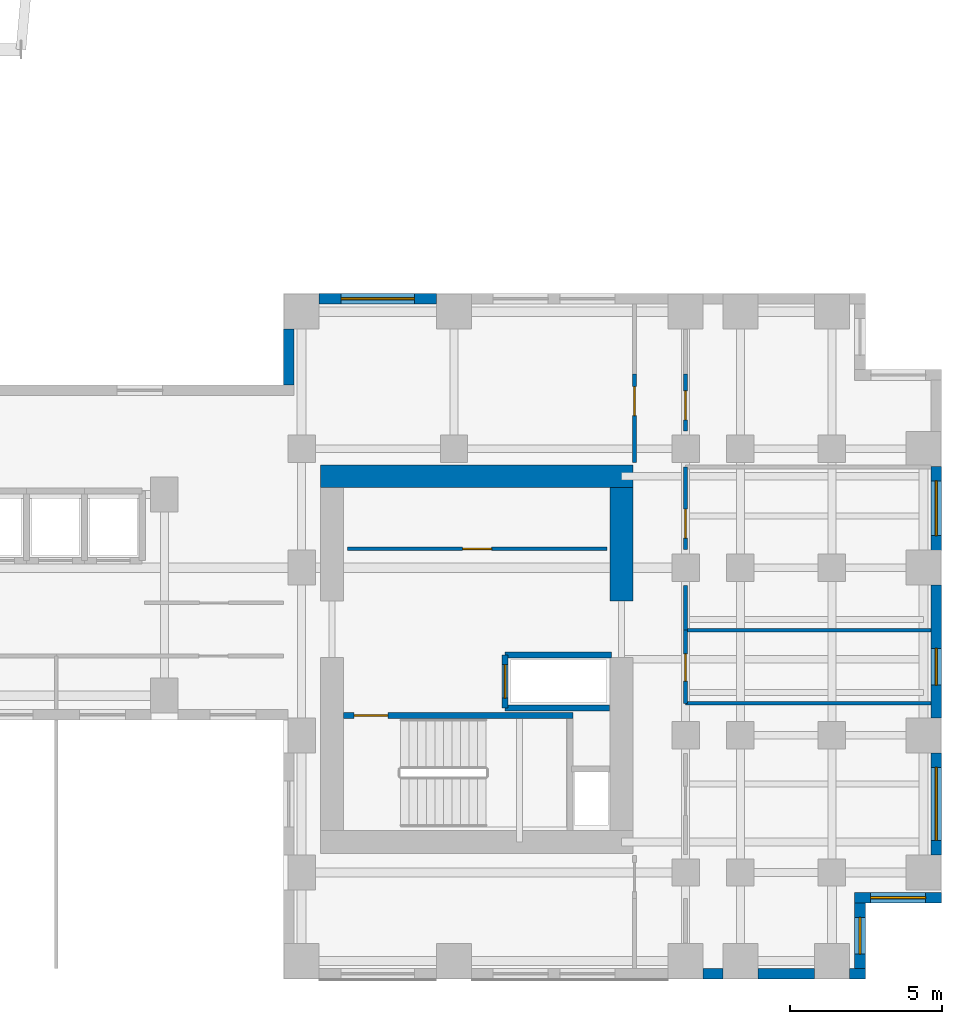
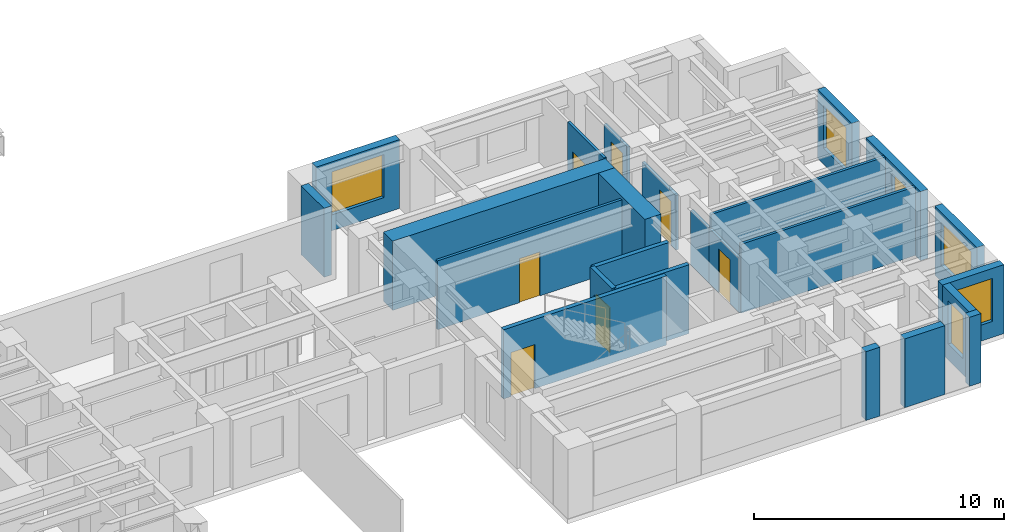
# One storey, part 10 of 14: 24 walls, 7 doors, 6 windows, 13 openings.
"""IFC4 building model written with IfcOpenShell, lengths in metres."""

import ifcopenshell
import ifcopenshell.guid

model = None  # the IFC model being written
_history = None  # IfcOwnerHistory: only IFC2X3 demands one
_inside = {}  # id of a spatial element -> (the spatial element, [elements in it])
_under = {}  # id of a project, library or spatial element -> (it, [spatial elements below it])
_declared = {}  # id of a project -> (the project, [libraries it declares])
_typed = {}  # id of a type object -> (the type object, [elements of that type])
_made_of = {}  # id of a material, layer set ... -> (it, [elements and type objects made of it])


def new_model(schema):
    """Start an empty IFC model of exactly this schema.

    Asked for "IFC4X3", IfcOpenShell would pick the latest addendum, in which some entities
    have other attributes; the version numbers below select the first issue.
    IFC2X3 requires an IfcOwnerHistory on every rooted entity: one is made here for all.
    """
    global model, _history
    if schema == "IFC4X3":
        model = ifcopenshell.file(schema_version=(4, 3, 0, 0))
    else:
        model = ifcopenshell.file(schema=schema)
    _inside.clear()
    _under.clear()
    _declared.clear()
    _typed.clear()
    _made_of.clear()
    _history = None
    if model.schema == "IFC2X3":
        org = make("IfcOrganization", Name="unknown")
        user = make(
            "IfcPersonAndOrganization",
            ThePerson=make("IfcPerson", FamilyName="unknown"),
            TheOrganization=org,
        )
        app = make(
            "IfcApplication",
            ApplicationDeveloper=org,
            Version="unknown",
            ApplicationFullName="unknown",
            ApplicationIdentifier="unknown",
        )
        _history = make(
            "IfcOwnerHistory",
            OwningUser=user,
            OwningApplication=app,
            ChangeAction="ADDED",
            CreationDate=0,
        )
    return model


def make(cls, **values):
    """One entity of the class cls with the attributes given. An attribute that is None is left unset."""
    return model.create_entity(
        cls, **{name: value for name, value in values.items() if value is not None}
    )


def rooted(cls, **values):
    """An entity with a GlobalId (a new one), such as an element, a storey or a relation."""
    return make(cls, GlobalId=ifcopenshell.guid.new(), OwnerHistory=_history, **values)


def si_unit(unit_type, name, prefix=None):
    """IfcSIUnit, for example si_unit("LENGTHUNIT", "METRE", prefix="MILLI")."""
    return make("IfcSIUnit", UnitType=unit_type, Prefix=prefix, Name=name)


def assignment(units):
    """IfcUnitAssignment: the units of a project."""
    return None if units is None else make("IfcUnitAssignment", Units=units)


def point(xyz):
    """IfcCartesianPoint."""
    return None if xyz is None else make("IfcCartesianPoint", Coordinates=xyz)


def direction(xyz):
    """IfcDirection."""
    return None if xyz is None else make("IfcDirection", DirectionRatios=xyz)


def frame(location, z_axis=None, x_axis=None):
    """IfcAxis2Placement3D, a coordinate frame: its origin and axes. An axis left out is left unset."""
    return make(
        "IfcAxis2Placement3D",
        Location=point(location),
        Axis=direction(z_axis),
        RefDirection=direction(x_axis),
    )


def frame_2d(location, x_axis=None):
    """IfcAxis2Placement2D, a coordinate frame in the plane: its origin and x axis."""
    return make(
        "IfcAxis2Placement2D", Location=point(location), RefDirection=direction(x_axis)
    )


def origin():
    """The frame at (0, 0, 0) with its axes left unset."""
    return frame((0.0, 0.0, 0.0))


def place(relative_to, where):
    """IfcLocalPlacement: puts the frame where relative to a parent placement (None: the world)."""
    return make(
        "IfcLocalPlacement", PlacementRelTo=relative_to, RelativePlacement=where
    )


def context(
    kind, dimensions, precision=None, world=None, true_north=None, identifier=None
):
    """IfcGeometricRepresentationContext, for example the 3D "Model" context."""
    return make(
        "IfcGeometricRepresentationContext",
        ContextIdentifier=identifier,
        ContextType=kind,
        CoordinateSpaceDimension=dimensions,
        Precision=precision,
        WorldCoordinateSystem=world,
        TrueNorth=true_north,
    )


def subcontext(parent, identifier, kind, view, scale=None):
    """IfcGeometricRepresentationSubContext, for example "Body" below "Model"."""
    return make(
        "IfcGeometricRepresentationSubContext",
        ContextIdentifier=identifier,
        ContextType=kind,
        ParentContext=parent,
        TargetScale=scale,
        TargetView=view,
    )


def project(units=None, contexts=None):
    """IfcProject with its units and contexts."""
    return rooted(
        "IfcProject",
        Name="project",
        RepresentationContexts=contexts,
        UnitsInContext=assignment(units),
    )


def spatial(cls, under=None, at=None, **own):
    """A site, building, storey or space (cls), placed at a placement, below another one or the project."""
    s = rooted(cls, ObjectPlacement=at, **own)
    if under is not None:
        _under.setdefault(under.id(), (under, []))[1].append(s)
    return s


def profile(cls, at=None, kind="AREA", **sizes):
    """A parametric profile (cls). Its sizes go by their IFC names, for example OverallWidth=200.0."""
    return make(cls, ProfileType=kind, Position=at, **sizes)


def rectangle(**sizes):
    """IfcRectangleProfileDef."""
    return profile("IfcRectangleProfileDef", **sizes)


def extrude(swept, where, along, depth):
    """IfcExtrudedAreaSolid: the profile swept, set in the frame where, extruded along a direction by depth."""
    return make(
        "IfcExtrudedAreaSolid",
        SweptArea=swept,
        Position=where,
        ExtrudedDirection=direction(along),
        Depth=depth,
    )


def shape(context_of_items, identifier, shape_type, items):
    """IfcShapeRepresentation: the items that make up one representation, for example the "Body"."""
    return make(
        "IfcShapeRepresentation",
        ContextOfItems=context_of_items,
        RepresentationIdentifier=identifier,
        RepresentationType=shape_type,
        Items=items,
    )


def source(mapping_origin, context_of_items, identifier, shape_type, items):
    """IfcRepresentationMap: a shape defined once, which mapped items show again and again."""
    return make(
        "IfcRepresentationMap",
        MappingOrigin=mapping_origin,
        MappedRepresentation=shape(context_of_items, identifier, shape_type, items),
    )


def transform(
    local_origin,
    x_axis=None,
    y_axis=None,
    z_axis=None,
    scale=None,
    scale2=None,
    scale3=None,
    uniform=True,
):
    """IfcCartesianTransformationOperator3D, or its non-uniform kind. x_axis, y_axis, z_axis: its Axis1, 2, 3."""
    if uniform:
        return make(
            "IfcCartesianTransformationOperator3D",
            Axis1=direction(x_axis),
            Axis2=direction(y_axis),
            LocalOrigin=point(local_origin),
            Scale=scale,
            Axis3=direction(z_axis),
        )
    return make(
        "IfcCartesianTransformationOperator3DnonUniform",
        Axis1=direction(x_axis),
        Axis2=direction(y_axis),
        LocalOrigin=point(local_origin),
        Scale=scale,
        Axis3=direction(z_axis),
        Scale2=scale2,
        Scale3=scale3,
    )


def mapped(mapping_source, mapping_target):
    """IfcMappedItem: shows the shape of a source again, moved by a transform."""
    return make(
        "IfcMappedItem", MappingSource=mapping_source, MappingTarget=mapping_target
    )


def material(Name=None, Category=None):
    """IfcMaterial."""
    return make("IfcMaterial", Name=Name, Category=Category)


def layer(
    of_material, thickness, ventilated=None, Name=None, Category=None, Priority=None
):
    """IfcMaterialLayer: one layer of a wall or slab, of a material (None: an air gap)."""
    return make(
        "IfcMaterialLayer",
        Material=of_material,
        LayerThickness=thickness,
        IsVentilated=ventilated,
        Name=Name,
        Category=Category,
        Priority=Priority,
    )


def layer_set(layers, Name=None):
    """IfcMaterialLayerSet."""
    return make("IfcMaterialLayerSet", MaterialLayers=layers, LayerSetName=Name)


def made_of(thing, what):
    """Note that an element or type object is made of a material, layer set ...; save() writes the relation."""
    if what is not None:
        _made_of.setdefault(what.id(), (what, []))[1].append(thing)
    return thing


def type_object(cls, material=None, **own):
    """A type object (cls), such as IfcWallType, which elements share."""
    return made_of(rooted(cls, **own), material)


def element(
    cls,
    number,
    at=None,
    inside=None,
    cuts=None,
    type_object=None,
    material=None,
    context=None,
    identifier="Body",
    shape_type=None,
    held_by="IfcProductDefinitionShape",
    body=None,
    shapes=None,
    **own,
):
    """One element of the class cls, such as IfcWall. Its Tag is "e" and its number.

    at: its placement. inside: the storey or other place that contains it. cuts: it is an
    opening in that element (IfcRelVoidsElement). A single representation is given by context,
    identifier, shape_type and body (its items); several are given by shapes. held_by: the class
    of the entity that holds the representations. save() writes the other relations.
    """
    e = rooted(cls, Tag="e%d" % number, ObjectPlacement=at, **own)
    if body is not None:
        shapes = [shape(context, identifier, shape_type, body)]
    if shapes is not None:
        e.Representation = make(held_by, Representations=shapes)
    if inside is not None:
        _inside.setdefault(inside.id(), (inside, []))[1].append(e)
    if cuts is not None:
        rooted(
            "IfcRelVoidsElement", RelatingBuildingElement=cuts, RelatedOpeningElement=e
        )
    if type_object is not None:
        _typed.setdefault(type_object.id(), (type_object, []))[1].append(e)
    return made_of(e, material)


def fill(opening, filler):
    """IfcRelFillsElement: the door or window that sits in an opening."""
    return rooted(
        "IfcRelFillsElement",
        RelatingOpeningElement=opening,
        RelatedBuildingElement=filler,
    )


def aggregate(whole, parts):
    """IfcRelAggregates: a whole, such as a stair, and the parts it consists of."""
    return rooted("IfcRelAggregates", RelatingObject=whole, RelatedObjects=parts)


def save(model, path):
    """Write the relations noted so far, then the file.

    IfcRelAggregates (storeys below a building ...), IfcRelContainedInSpatialStructure (elements
    in a storey), IfcRelDefinesByType, IfcRelAssociatesMaterial and IfcRelDeclares: one each for
    every whole, place, type object, material and project.
    """
    for whole, parts in _under.values():
        aggregate(whole, parts)
    for where, things in _inside.values():
        rooted(
            "IfcRelContainedInSpatialStructure",
            RelatedElements=things,
            RelatingStructure=where,
        )
    for kind, things in _typed.values():
        rooted("IfcRelDefinesByType", RelatedObjects=things, RelatingType=kind)
    for what, things in _made_of.values():
        rooted("IfcRelAssociatesMaterial", RelatedObjects=things, RelatingMaterial=what)
    for by, libraries in _declared.values():
        rooted("IfcRelDeclares", RelatingContext=by, RelatedDefinitions=libraries)
    model.write(path)


model = new_model("IFC4")

# Units and contexts
model_context = context("Model", 3, precision=1e-05, world=origin(), true_north=direction((0.0, 1.0)))
body_context = subcontext(model_context, "Body", "Model", "MODEL_VIEW")
ifc_project = project(units=[si_unit("LENGTHUNIT", "METRE"), si_unit("AREAUNIT", "SQUARE_METRE"), si_unit("VOLUMEUNIT", "CUBIC_METRE"), si_unit("PLANEANGLEUNIT", "RADIAN"), si_unit("MASSUNIT", "GRAM", prefix="KILO")], contexts=[model_context])

# Site, building, storey
site_placement = place(None, origin())
site = spatial("IfcSite", under=ifc_project, at=site_placement, CompositionType="ELEMENT")
building_placement = place(site_placement, origin())
building = spatial("IfcBuilding", under=site, at=building_placement, Name="Kharzan Plaza Tower", CompositionType="ELEMENT")
storey_placement = place(building_placement, frame((0.0, 0.0, 124.199951171875)))
storey = spatial("IfcBuildingStorey", under=building, at=storey_placement, Name="L33", CompositionType="ELEMENT", Elevation=124.199951171875)

# Wall, opening, window
ifc_material_1 = material(Name="Concrete C40/50", Category="concrete")
ifc_layer_1 = layer(ifc_material_1, 0.35009765625)
ifc_layer_set_1 = layer_set([ifc_layer_1], Name="Concrete C40/50")
wall_type_1 = type_object("IfcWallType", Name="WL-EXT-MAS-Z2", PredefinedType="SOLIDWALL", material=ifc_layer_set_1)
wall_1_placement = place(storey_placement, frame((53.324951171875, 0.347900390625, 0.0), z_axis=(0.0, 0.0, 1.0), x_axis=(0.0, 1.0, 0.0)))
wall_1 = element("IfcWall", 1, at=wall_1_placement, inside=storey, type_object=wall_type_1, Name="L33 Masonry-Frame Exterior Wall 44", PredefinedType="SOLIDWALL", context=body_context, shape_type="SweptSolid", body=[
    extrude(rectangle(XDim=2.154052734375, YDim=0.35009765625, at=frame_2d((1.0771484375, 0.0))), origin(), (0.0, 0.0, 1.0), 3.364990234375),
])
opening_1_placement = place(wall_1_placement, frame((0.47705078125, 0.0, 0.780029296875)))
opening_1 = element("IfcOpeningElement", 2, at=opening_1_placement, cuts=wall_1, Name="Opening W3", PredefinedType="OPENING", context=body_context, shape_type="SweptSolid", body=[
    extrude(rectangle(XDim=1.199951171875, YDim=2.10009765625, at=frame_2d((0.60009765625, 1.050048828125))), frame((0.0, 0.18505859375, 0.0), z_axis=(0.0, -1.0, 0.0), x_axis=(1.0, 0.0, 0.0)), (0.0, 0.0, 1.0), 0.3701171875),
])
ifc_material_2 = material(Name="Low-E Double Glazing", Category="glass")
window_type_1 = type_object("IfcWindowType", Name="WN-REC-1200x2100", PartitioningType="SINGLE_PANEL", PredefinedType="WINDOW", material=ifc_material_2)
shared_shape_1 = source(origin(), body_context, "Body", "SweptSolid", [
    extrude(rectangle(XDim=1.199951171875, YDim=2.10009765625, at=frame_2d((0.60009765625, 1.050048828125))), frame((0.0, 0.030029296875, 0.0), z_axis=(0.0, -1.0, 0.0), x_axis=(1.0, 0.0, 0.0)), (0.0, 0.0, 1.0), 0.06005859375),
])
window_1_placement = place(opening_1_placement, origin())
window_1 = element("IfcWindow", 3, at=window_1_placement, inside=storey, type_object=window_type_1, Name="L33 Recessed Solar-Control Window 44-1", OverallHeight=2.10009765625, OverallWidth=1.199951171875, PartitioningType="SINGLE_PANEL", PredefinedType="WINDOW", context=body_context, shape_type="MappedRepresentation", body=[
    mapped(shared_shape_1, transform((0.0, 0.0, 0.0), x_axis=(1.0, 0.0, 0.0), y_axis=(0.0, 1.0, 0.0), z_axis=(0.0, 0.0, 1.0))),
])
fill(opening_1, window_1)

wall_2_placement = place(storey_placement, frame((53.14990234375, 2.675048828125, 0.0), z_axis=(0.0, 0.0, 1.0), x_axis=(1.0, 0.0, 0.0)))
wall_2 = element("IfcWall", 4, at=wall_2_placement, inside=storey, type_object=wall_type_1, Name="L33 Masonry-Frame Exterior Wall 45", PredefinedType="SOLIDWALL", context=body_context, shape_type="SweptSolid", body=[
    extrude(rectangle(XDim=2.85009765625, YDim=0.35009765625, at=frame_2d((1.425048828125, 0.0))), origin(), (0.0, 0.0, 1.0), 3.364990234375),
])
opening_2_placement = place(wall_2_placement, frame((0.52490234375, 0.0, 0.780029296875)))
opening_2 = element("IfcOpeningElement", 5, at=opening_2_placement, cuts=wall_2, Name="Opening W1", PredefinedType="OPENING", context=body_context, shape_type="SweptSolid", body=[
    extrude(rectangle(XDim=1.800048828125, YDim=2.10009765625, at=frame_2d((0.89990234375, 1.050048828125))), frame((0.0, 0.18505859375, 0.0), z_axis=(0.0, -1.0, 0.0), x_axis=(1.0, 0.0, 0.0)), (0.0, 0.0, 1.0), 0.3701171875),
])
window_type_2 = type_object("IfcWindowType", Name="WN-REC-1800x2100", PartitioningType="SINGLE_PANEL", PredefinedType="WINDOW", material=ifc_material_2)
shared_shape_2 = source(origin(), body_context, "Body", "SweptSolid", [
    extrude(rectangle(XDim=1.800048828125, YDim=2.10009765625, at=frame_2d((0.89990234375, 1.050048828125))), frame((0.0, 0.030029296875, 0.0), z_axis=(0.0, -1.0, 0.0), x_axis=(1.0, 0.0, 0.0)), (0.0, 0.0, 1.0), 0.06005859375),
])
window_2_placement = place(opening_2_placement, origin())
window_2 = element("IfcWindow", 6, at=window_2_placement, inside=storey, type_object=window_type_2, Name="L33 Recessed Solar-Control Window 45-1", OverallHeight=2.10009765625, OverallWidth=1.800048828125, PartitioningType="SINGLE_PANEL", PredefinedType="WINDOW", context=body_context, shape_type="MappedRepresentation", body=[
    mapped(shared_shape_2, transform((0.0, 0.0, 0.0), x_axis=(1.0, 0.0, 0.0), y_axis=(0.0, 1.0, 0.0), z_axis=(0.0, 0.0, 1.0))),
])
fill(opening_2, window_2)

wall_3_placement = place(storey_placement, frame((55.824951171875, 4.072998046875, 0.0), z_axis=(0.0, 0.0, 1.0), x_axis=(0.0, 1.0, 0.0)))
wall_3 = element("IfcWall", 7, at=wall_3_placement, inside=storey, type_object=wall_type_1, Name="L33 Masonry-Frame Exterior Wall 46", PredefinedType="SOLIDWALL", context=body_context, shape_type="SweptSolid", body=[
    extrude(rectangle(XDim=3.35400390625, YDim=0.35009765625, at=frame_2d((1.677001953125, 0.0))), origin(), (0.0, 0.0, 1.0), 3.364990234375),
])
opening_3_placement = place(wall_3_placement, frame((0.47705078125, 0.0, 0.780029296875)))
opening_3 = element("IfcOpeningElement", 8, at=opening_3_placement, cuts=wall_3, Name="Opening W2", PredefinedType="OPENING", context=body_context, shape_type="SweptSolid", body=[
    extrude(rectangle(XDim=2.39990234375, YDim=2.10009765625, at=frame_2d((1.199951171875, 1.050048828125))), frame((0.0, 0.18505859375, 0.0), z_axis=(0.0, -1.0, 0.0), x_axis=(1.0, 0.0, 0.0)), (0.0, 0.0, 1.0), 0.3701171875),
])
window_type_3 = type_object("IfcWindowType", Name="WN-REC-2400x2100", PartitioningType="SINGLE_PANEL", PredefinedType="WINDOW", material=ifc_material_2)
shared_shape_3 = source(origin(), body_context, "Body", "SweptSolid", [
    extrude(rectangle(XDim=2.39990234375, YDim=2.10009765625, at=frame_2d((1.199951171875, 1.050048828125))), frame((0.0, 0.030029296875, 0.0), z_axis=(0.0, -1.0, 0.0), x_axis=(1.0, 0.0, 0.0)), (0.0, 0.0, 1.0), 0.06005859375),
])
window_3_placement = place(opening_3_placement, origin())
window_3 = element("IfcWindow", 9, at=window_3_placement, inside=storey, type_object=window_type_3, Name="L33 Wide Recessed Solar-Control Window 46-1", OverallHeight=2.10009765625, OverallWidth=2.39990234375, PartitioningType="SINGLE_PANEL", PredefinedType="WINDOW", context=body_context, shape_type="MappedRepresentation", body=[
    mapped(shared_shape_3, transform((0.0, 0.0, 0.0), x_axis=(1.0, 0.0, 0.0), y_axis=(0.0, 1.0, 0.0), z_axis=(0.0, 0.0, 1.0))),
])
fill(opening_3, window_3)

wall_4_placement = place(storey_placement, frame((55.824951171875, 8.572998046875, 0.0), z_axis=(0.0, 0.0, 1.0), x_axis=(0.0, 1.0, 0.0)))
wall_4 = element("IfcWall", 10, at=wall_4_placement, inside=storey, type_object=wall_type_1, Name="L33 Masonry-Frame Exterior Wall 47", PredefinedType="SOLIDWALL", context=body_context, shape_type="SweptSolid", body=[
    extrude(rectangle(XDim=4.35400390625, YDim=0.35009765625, at=frame_2d((2.177001953125, 0.0))), origin(), (0.0, 0.0, 1.0), 3.364990234375),
])
opening_4_placement = place(wall_4_placement, frame((1.076904296875, 0.0, 0.780029296875)))
opening_4 = element("IfcOpeningElement", 11, at=opening_4_placement, cuts=wall_4, Name="Opening W3", PredefinedType="OPENING", context=body_context, shape_type="SweptSolid", body=[
    extrude(rectangle(XDim=1.199951171875, YDim=2.10009765625, at=frame_2d((0.60009765625, 1.050048828125))), frame((0.0, 0.18505859375, 0.0), z_axis=(0.0, -1.0, 0.0), x_axis=(1.0, 0.0, 0.0)), (0.0, 0.0, 1.0), 0.3701171875),
])
window_4_placement = place(opening_4_placement, origin())
window_4 = element("IfcWindow", 12, at=window_4_placement, inside=storey, type_object=window_type_1, Name="L33 Recessed Solar-Control Window 47-1", OverallHeight=2.10009765625, OverallWidth=1.199951171875, PartitioningType="SINGLE_PANEL", PredefinedType="WINDOW", context=body_context, shape_type="MappedRepresentation", body=[
    mapped(shared_shape_1, transform((0.0, 0.0, 0.0), x_axis=(1.0, 0.0, 0.0), y_axis=(0.0, 1.0, 0.0), z_axis=(0.0, 0.0, 1.0))),
])
fill(opening_4, window_4)

wall_5_placement = place(storey_placement, frame((55.824951171875, 14.072998046875, 0.0), z_axis=(0.0, 0.0, 1.0), x_axis=(0.0, 1.0, 0.0)))
wall_5 = element("IfcWall", 13, at=wall_5_placement, inside=storey, type_object=wall_type_1, Name="L33 Masonry-Frame Exterior Wall 48", PredefinedType="SOLIDWALL", context=body_context, shape_type="SweptSolid", body=[
    extrude(rectangle(XDim=2.75390625, YDim=0.35009765625, at=frame_2d((1.376953125, 0.0))), origin(), (0.0, 0.0, 1.0), 3.364990234375),
])
opening_5_placement = place(wall_5_placement, frame((0.47705078125, 0.0, 0.780029296875)))
opening_5 = element("IfcOpeningElement", 14, at=opening_5_placement, cuts=wall_5, Name="Opening W1", PredefinedType="OPENING", context=body_context, shape_type="SweptSolid", body=[
    extrude(rectangle(XDim=1.800048828125, YDim=2.10009765625, at=frame_2d((0.89990234375, 1.050048828125))), frame((0.0, 0.18505859375, 0.0), z_axis=(0.0, -1.0, 0.0), x_axis=(1.0, 0.0, 0.0)), (0.0, 0.0, 1.0), 0.3701171875),
])
window_5_placement = place(opening_5_placement, origin())
window_5 = element("IfcWindow", 15, at=window_5_placement, inside=storey, type_object=window_type_2, Name="L33 Recessed Solar-Control Window 48-1", OverallHeight=2.10009765625, OverallWidth=1.800048828125, PartitioningType="SINGLE_PANEL", PredefinedType="WINDOW", context=body_context, shape_type="MappedRepresentation", body=[
    mapped(shared_shape_2, transform((0.0, 0.0, 0.0), x_axis=(1.0, 0.0, 0.0), y_axis=(0.0, 1.0, 0.0), z_axis=(0.0, 0.0, 1.0))),
])
fill(opening_5, window_5)

wall_6_placement = place(storey_placement, frame((39.427001953125, 22.324951171875, 0.0), z_axis=(0.0, 0.0, 1.0), x_axis=(-1.0, 0.0, 0.0)))
wall_6 = element("IfcWall", 16, at=wall_6_placement, inside=storey, type_object=wall_type_1, Name="L33 Masonry-Frame Exterior Wall 56", PredefinedType="SOLIDWALL", context=body_context, shape_type="SweptSolid", body=[
    extrude(rectangle(XDim=3.85400390625, YDim=0.35009765625, at=frame_2d((1.927001953125, 0.0))), origin(), (0.0, 0.0, 1.0), 3.364990234375),
])
opening_6_placement = place(wall_6_placement, frame((0.72705078125, 0.0, 0.780029296875)))
opening_6 = element("IfcOpeningElement", 17, at=opening_6_placement, cuts=wall_6, Name="Opening W2", PredefinedType="OPENING", context=body_context, shape_type="SweptSolid", body=[
    extrude(rectangle(XDim=2.39990234375, YDim=2.10009765625, at=frame_2d((1.199951171875, 1.050048828125))), frame((0.0, 0.18505859375, 0.0), z_axis=(0.0, -1.0, 0.0), x_axis=(1.0, 0.0, 0.0)), (0.0, 0.0, 1.0), 0.3701171875),
])
window_6_placement = place(opening_6_placement, origin())
window_6 = element("IfcWindow", 18, at=window_6_placement, inside=storey, type_object=window_type_3, Name="L33 Wide Recessed Solar-Control Window 56-1", OverallHeight=2.10009765625, OverallWidth=2.39990234375, PartitioningType="SINGLE_PANEL", PredefinedType="WINDOW", context=body_context, shape_type="MappedRepresentation", body=[
    mapped(shared_shape_3, transform((0.0, 0.0, 0.0), x_axis=(1.0, 0.0, 0.0), y_axis=(0.0, 1.0, 0.0), z_axis=(0.0, 0.0, 1.0))),
])
fill(opening_6, window_6)

# Wall, opening, door
ifc_material_3 = material(Name="Fire-Rated Gypsum Board Partition", Category="gypsum")
ifc_layer_2 = layer(ifc_material_3, 0.125)
ifc_layer_set_2 = layer_set([ifc_layer_2], Name="Fire-Rated Gypsum Board Partition")
wall_type_2 = type_object("IfcWallType", Name="WL-INT-PART-125", PredefinedType="PARTITIONING", material=ifc_layer_set_2)
wall_7_placement = place(storey_placement, frame((36.5, 14.1201171875, 0.0), z_axis=(0.0, 0.0, 1.0), x_axis=(1.0, 0.0, 0.0)))
wall_7 = element("IfcWall", 19, at=wall_7_placement, inside=storey, type_object=wall_type_2, Name="L33 Interior Partition CB-RBLS1", PredefinedType="PARTITIONING", context=body_context, shape_type="SweptSolid", body=[
    extrude(rectangle(XDim=8.52001953125, YDim=0.125, at=frame_2d((4.260009765625, 0.0))), origin(), (0.0, 0.0, 1.0), 3.364990234375),
])
opening_7_placement = place(wall_7_placement, frame((3.784912109375, 0.0, 0.0)))
opening_7 = element("IfcOpeningElement", 20, at=opening_7_placement, cuts=wall_7, Name="Opening OD1", PredefinedType="OPENING", context=body_context, shape_type="SweptSolid", body=[
    extrude(rectangle(XDim=0.949951171875, YDim=2.14990234375, at=frame_2d((0.47509765625, 1.074951171875))), frame((0.0, 0.072509765625, 0.0), z_axis=(0.0, -1.0, 0.0), x_axis=(1.0, 0.0, 0.0)), (0.0, 0.0, 1.0), 0.14501953125),
])
ifc_material_4 = material(Name="Acoustic Solid-Core Stained Oak", Category="timber")
door_type_1 = type_object("IfcDoorType", Name="DR-OFF-SINGLE", OperationType="NOTDEFINED", PredefinedType="DOOR", material=ifc_material_4)
shared_shape_4 = source(origin(), body_context, "Body", "SweptSolid", [
    extrude(rectangle(XDim=0.949951171875, YDim=2.14990234375, at=frame_2d((0.47509765625, 1.074951171875))), frame((0.0, 0.02490234375, 0.0), z_axis=(0.0, -1.0, 0.0), x_axis=(1.0, 0.0, 0.0)), (0.0, 0.0, 1.0), 0.050048828125),
])
door_1_placement = place(opening_7_placement, origin())
door_1 = element("IfcDoor", 21, at=door_1_placement, inside=storey, type_object=door_type_1, Name="L33 Mail Room Door", OperationType="SINGLE_SWING_RIGHT", OverallHeight=2.14990234375, OverallWidth=0.949951171875, PredefinedType="DOOR", context=body_context, shape_type="MappedRepresentation", body=[
    mapped(shared_shape_4, transform((0.0, 0.0, 0.0), x_axis=(1.0, 0.0, 0.0), y_axis=(0.0, 1.0, 0.0), z_axis=(0.0, 0.0, 1.0))),
])
fill(opening_7, door_1)

wall_8_placement = place(storey_placement, frame((47.60009765625, 14.090087890625, 0.0), z_axis=(0.0, 0.0, 1.0), x_axis=(0.0, 1.0, 0.0)))
wall_8 = element("IfcWall", 22, at=wall_8_placement, inside=storey, type_object=wall_type_2, Name="L33 Interior Partition SH-B1W1-S2", PredefinedType="PARTITIONING", context=body_context, shape_type="SweptSolid", body=[
    extrude(rectangle(XDim=2.7099609375, YDim=0.125, at=frame_2d((1.35498046875, 0.0))), origin(), (0.0, 0.0, 1.0), 2.677001953125),
])
opening_8_placement = place(wall_8_placement, frame((0.3798828125, 0.0, 0.0)))
opening_8 = element("IfcOpeningElement", 23, at=opening_8_placement, cuts=wall_8, Name="Opening OD1", PredefinedType="OPENING", context=body_context, shape_type="SweptSolid", body=[
    extrude(rectangle(XDim=0.949951171875, YDim=2.14990234375, at=frame_2d((0.47509765625, 1.074951171875))), frame((0.0, 0.072509765625, 0.0), z_axis=(0.0, -1.0, 0.0), x_axis=(1.0, 0.0, 0.0)), (0.0, 0.0, 1.0), 0.14501953125),
])
door_2_placement = place(opening_8_placement, origin())
door_2 = element("IfcDoor", 24, at=door_2_placement, inside=storey, type_object=door_type_1, Name="L33 Wing B Mid Office Door", OperationType="SINGLE_SWING_RIGHT", OverallHeight=2.14990234375, OverallWidth=0.949951171875, PredefinedType="DOOR", context=body_context, shape_type="MappedRepresentation", body=[
    mapped(shared_shape_4, transform((0.0, 0.0, 0.0), x_axis=(1.0, 0.0, 0.0), y_axis=(0.0, 1.0, 0.0), z_axis=(0.0, 0.0, 1.0))),
])
fill(opening_8, door_2)

wall_9_placement = place(storey_placement, frame((47.60009765625, 17.989990234375, 0.0), z_axis=(0.0, 0.0, 1.0), x_axis=(0.0, 1.0, 0.0)))
wall_9 = element("IfcWall", 25, at=wall_9_placement, inside=storey, type_object=wall_type_2, Name="L33 Interior Partition SH-B1W2", PredefinedType="PARTITIONING", context=body_context, shape_type="SweptSolid", body=[
    extrude(rectangle(XDim=1.860107421875, YDim=0.125, at=frame_2d((0.93017578125, 0.0))), origin(), (0.0, 0.0, 1.0), 2.677001953125),
])
opening_9_placement = place(wall_9_placement, frame((0.36328125, 0.0, 0.0)))
opening_9 = element("IfcOpeningElement", 26, at=opening_9_placement, cuts=wall_9, Name="Opening OD1", PredefinedType="OPENING", context=body_context, shape_type="SweptSolid", body=[
    extrude(rectangle(XDim=0.949951171875, YDim=2.14990234375, at=frame_2d((0.47509765625, 1.074951171875))), frame((0.0, 0.072509765625, 0.0), z_axis=(0.0, -1.0, 0.0), x_axis=(1.0, 0.0, 0.0)), (0.0, 0.0, 1.0), 0.14501953125),
])
door_3_placement = place(opening_9_placement, origin())
door_3 = element("IfcDoor", 27, at=door_3_placement, inside=storey, type_object=door_type_1, Name="L33 Wing B North Office Door", OperationType="SINGLE_SWING_RIGHT", OverallHeight=2.14990234375, OverallWidth=0.949951171875, PredefinedType="DOOR", context=body_context, shape_type="MappedRepresentation", body=[
    mapped(shared_shape_4, transform((0.0, 0.0, 0.0), x_axis=(1.0, 0.0, 0.0), y_axis=(0.0, 1.0, 0.0), z_axis=(0.0, 0.0, 1.0))),
])
fill(opening_9, door_3)

wall_10_placement = place(storey_placement, frame((47.60009765625, 9.050048828125, 0.0), z_axis=(0.0, 0.0, 1.0), x_axis=(0.0, 1.0, 0.0)))
wall_10 = element("IfcWall", 28, at=wall_10_placement, inside=storey, type_object=wall_type_2, Name="L33 Interior Partition SH-B1WC", PredefinedType="PARTITIONING", context=body_context, shape_type="SweptSolid", body=[
    extrude(rectangle(XDim=2.39990234375, YDim=0.125, at=frame_2d((1.199951171875, 0.0))), origin(), (0.0, 0.0, 1.0), 2.677001953125),
])
opening_10_placement = place(wall_10_placement, frame((0.72509765625, 0.0, 0.0)))
opening_10 = element("IfcOpeningElement", 29, at=opening_10_placement, cuts=wall_10, Name="Opening WD1", PredefinedType="OPENING", context=body_context, shape_type="SweptSolid", body=[
    extrude(rectangle(XDim=0.89990234375, YDim=2.14990234375, at=frame_2d((0.449951171875, 1.074951171875))), frame((0.0, 0.072509765625, 0.0), z_axis=(0.0, -1.0, 0.0), x_axis=(1.0, 0.0, 0.0)), (0.0, 0.0, 1.0), 0.14501953125),
])
ifc_material_5 = material(Name="Moisture-Resistant Fire-Rated Laminate", Category="timber")
door_type_2 = type_object("IfcDoorType", Name="DR-WC-900", OperationType="NOTDEFINED", PredefinedType="DOOR", material=ifc_material_5)
shared_shape_5 = source(origin(), body_context, "Body", "SweptSolid", [
    extrude(rectangle(XDim=0.89990234375, YDim=2.14990234375, at=frame_2d((0.449951171875, 1.074951171875))), frame((0.0, 0.02490234375, 0.0), z_axis=(0.0, -1.0, 0.0), x_axis=(1.0, 0.0, 0.0)), (0.0, 0.0, 1.0), 0.050048828125),
])
door_4_placement = place(opening_10_placement, origin())
door_4 = element("IfcDoor", 30, at=door_4_placement, inside=storey, type_object=door_type_2, Name="L33 Wing B Washroom Door", OperationType="SINGLE_SWING_LEFT", OverallHeight=2.14990234375, OverallWidth=0.89990234375, PredefinedType="DOOR", context=body_context, shape_type="MappedRepresentation", body=[
    mapped(shared_shape_5, transform((0.0, 0.0, 0.0), x_axis=(1.0, 0.0, 0.0), y_axis=(0.0, 1.0, 0.0), z_axis=(0.0, 0.0, 1.0))),
])
fill(opening_10, door_4)

wall_11_placement = place(storey_placement, frame((45.919921875, 16.949951171875, 0.0), z_axis=(0.0, 0.0, 1.0), x_axis=(0.0, 1.0, 0.0)))
wall_11 = element("IfcWall", 31, at=wall_11_placement, inside=storey, type_object=wall_type_2, Name="L33 Interior Partition SH-RBNE", PredefinedType="PARTITIONING", context=body_context, shape_type="SweptSolid", body=[
    extrude(rectangle(XDim=2.900146484375, YDim=0.125, at=frame_2d((1.4501953125, 0.0))), origin(), (0.0, 0.0, 1.0), 3.364990234375),
])
opening_11_placement = place(wall_11_placement, frame((1.54296875, 0.0, 0.0)))
opening_11 = element("IfcOpeningElement", 32, at=opening_11_placement, cuts=wall_11, Name="Opening OD1", PredefinedType="OPENING", context=body_context, shape_type="SweptSolid", body=[
    extrude(rectangle(XDim=0.949951171875, YDim=2.14990234375, at=frame_2d((0.47509765625, 1.074951171875))), frame((0.0, 0.072509765625, 0.0), z_axis=(0.0, -1.0, 0.0), x_axis=(1.0, 0.0, 0.0)), (0.0, 0.0, 1.0), 0.14501953125),
])
door_5_placement = place(opening_11_placement, origin())
door_5 = element("IfcDoor", 33, at=door_5_placement, inside=storey, type_object=door_type_1, Name="L33 Wing B North Studio Door", OperationType="SINGLE_SWING_LEFT", OverallHeight=2.14990234375, OverallWidth=0.949951171875, PredefinedType="DOOR", context=body_context, shape_type="MappedRepresentation", body=[
    mapped(shared_shape_4, transform((0.0, 0.0, 0.0), x_axis=(1.0, 0.0, 0.0), y_axis=(0.0, 1.0, 0.0), z_axis=(0.0, 0.0, 1.0))),
])
fill(opening_11, door_5)

ifc_layer_3 = layer(ifc_material_1, 0.199951171875)
ifc_layer_set_3 = layer_set([ifc_layer_3], Name="Concrete C40/50")
wall_type_3 = type_object("IfcWallType", Name="WL-INT-SHAFT-200", PredefinedType="PARTITIONING", material=ifc_layer_set_3)
wall_12_placement = place(storey_placement, frame((41.679931640625, 8.89990234375, 0.0), z_axis=(0.0, 0.0, 1.0), x_axis=(0.0, 1.0, 0.0)))
wall_12 = element("IfcWall", 34, at=wall_12_placement, inside=storey, type_object=wall_type_3, Name="L33 Interior Partition SHF-SVL-2-W", PredefinedType="PARTITIONING", context=body_context, shape_type="SweptSolid", body=[
    extrude(rectangle(XDim=1.739990234375, YDim=0.199951171875, at=frame_2d((0.8701171875, 0.0))), origin(), (0.0, 0.0, 1.0), 3.364990234375),
])
opening_12_placement = place(wall_12_placement, frame((0.320068359375, 0.0, 0.0)))
opening_12 = element("IfcOpeningElement", 35, at=opening_12_placement, cuts=wall_12, Name="Opening LD", PredefinedType="OPENING", context=body_context, shape_type="SweptSolid", body=[
    extrude(rectangle(XDim=1.10009765625, YDim=2.199951171875, at=frame_2d((0.550048828125, 1.10009765625))), frame((0.0, 0.10986328125, 0.0), z_axis=(0.0, -1.0, 0.0), x_axis=(1.0, 0.0, 0.0)), (0.0, 0.0, 1.0), 0.219970703125),
])
ifc_material_6 = material(Name="Brushed Stainless Steel", Category="steel")
door_type_3 = type_object("IfcDoorType", Name="DR-LIFT-SLIDE", OperationType="SLIDING_TO_LEFT", PredefinedType="DOOR", material=ifc_material_6)
shared_shape_6 = source(origin(), body_context, "Body", "SweptSolid", [
    extrude(rectangle(XDim=1.10009765625, YDim=2.199951171875, at=frame_2d((0.550048828125, 1.10009765625))), frame((0.0, 0.02490234375, 0.0), z_axis=(0.0, -1.0, 0.0), x_axis=(1.0, 0.0, 0.0)), (0.0, 0.0, 1.0), 0.050048828125),
])
door_6_placement = place(opening_12_placement, origin())
door_6 = element("IfcDoor", 36, at=door_6_placement, inside=storey, type_object=door_type_3, Name="L33 Service Lift SVL-2 Sliding Landing Door", OperationType="SLIDING_TO_LEFT", OverallHeight=2.199951171875, OverallWidth=1.10009765625, PredefinedType="DOOR", context=body_context, shape_type="MappedRepresentation", body=[
    mapped(shared_shape_6, transform((0.0, 0.0, 0.0), x_axis=(1.0, 0.0, 0.0), y_axis=(0.0, 1.0, 0.0), z_axis=(0.0, 0.0, 1.0))),
])
fill(opening_12, door_6)

ifc_material_7 = material(Name="Concrete C50/60", Category="concrete")
ifc_layer_4 = layer(ifc_material_7, 0.199951171875)
ifc_layer_set_4 = layer_set([ifc_layer_4], Name="Concrete C50/60")
wall_type_4 = type_object("IfcWallType", Name="WL-SHAFT-RC200", PredefinedType="SHEAR", material=ifc_layer_set_4)
wall_13_placement = place(storey_placement, frame((36.376953125, 8.655029296875, 0.0), z_axis=(0.0, 0.0, 1.0), x_axis=(1.0, 0.0, 0.0)))
wall_13 = element("IfcWall", 37, at=wall_13_placement, inside=storey, type_object=wall_type_4, Name="L33 Stair ST-3 North RC Shaft Wall", PredefinedType="SHEAR", context=body_context, shape_type="SweptSolid", body=[
    extrude(rectangle(XDim=7.528076171875, YDim=0.199951171875, at=frame_2d((3.76416015625, 0.0))), origin(), (0.0, 0.0, 1.0), 3.380126953125),
])
opening_13_placement = place(wall_13_placement, frame((0.35009765625, 0.0, 0.0)))
opening_13 = element("IfcOpeningElement", 38, at=opening_13_placement, cuts=wall_13, Name="Opening SD1", PredefinedType="OPENING", context=body_context, shape_type="SweptSolid", body=[
    extrude(rectangle(XDim=1.10009765625, YDim=2.14990234375, at=frame_2d((0.550048828125, 1.074951171875))), frame((0.0, 0.10986328125, 0.0), z_axis=(0.0, -1.0, 0.0), x_axis=(1.0, 0.0, 0.0)), (0.0, 0.0, 1.0), 0.219970703125),
])
ifc_material_8 = material(Name="Fire-Rated Hollow Galvanized Steel", Category="steel")
door_type_4 = type_object("IfcDoorType", Name="DR-STAIR-FD120", OperationType="NOTDEFINED", PredefinedType="DOOR", material=ifc_material_8)
shared_shape_7 = source(origin(), body_context, "Body", "SweptSolid", [
    extrude(rectangle(XDim=1.10009765625, YDim=2.14990234375, at=frame_2d((0.550048828125, 1.074951171875))), frame((0.0, 0.02490234375, 0.0), z_axis=(0.0, -1.0, 0.0), x_axis=(1.0, 0.0, 0.0)), (0.0, 0.0, 1.0), 0.050048828125),
])
door_7_placement = place(opening_13_placement, origin())
door_7 = element("IfcDoor", 39, at=door_7_placement, inside=storey, type_object=door_type_4, Name="L33 Stair ST-3 Fire Exit Door", OperationType="SINGLE_SWING_LEFT", OverallHeight=2.14990234375, OverallWidth=1.10009765625, PredefinedType="DOOR", context=body_context, shape_type="MappedRepresentation", body=[
    mapped(shared_shape_7, transform((0.0, 0.0, 0.0), x_axis=(1.0, 0.0, 0.0), y_axis=(0.0, 1.0, 0.0), z_axis=(0.0, 0.0, 1.0))),
])
fill(opening_13, door_7)

# Walls
shared_shape_8 = source(origin(), body_context, "Body", "SweptSolid", [
    extrude(rectangle(XDim=3.489990234375, YDim=0.199951171875, at=frame_2d((1.7451171875, 0.0))), origin(), (0.0, 0.0, 1.0), 3.364990234375),
])
wall_14_placement = place(storey_placement, frame((41.679931640625, 10.639892578125, 0.0), z_axis=(0.0, 0.0, 1.0), x_axis=(1.0, 0.0, 0.0)))
element("IfcWall", 40, at=wall_14_placement, inside=storey, type_object=wall_type_3, Name="L33 Interior Partition SHF-SVL-2-N", PredefinedType="PARTITIONING", context=body_context, shape_type="MappedRepresentation", body=[
    mapped(shared_shape_8, transform((0.0, 0.0, 0.0), x_axis=(1.0, 0.0, 0.0), y_axis=(0.0, 1.0, 0.0), z_axis=(0.0, 0.0, 1.0))),
])
ifc_material_9 = material(Name="Concrete C60/75", Category="concrete")
ifc_layer_5 = layer(ifc_material_9, 0.75)
ifc_layer_set_5 = layer_set([ifc_layer_5], Name="Concrete C60/75")
wall_type_5 = type_object("IfcWallType", Name="WL-CORE-750", PredefinedType="SHEAR", material=ifc_layer_set_5)
shared_shape_9 = source(origin(), body_context, "Body", "SweptSolid", [
    extrude(rectangle(XDim=3.72509765625, YDim=0.75, at=frame_2d((1.862548828125, 0.0))), origin(), (0.0, 0.0, 1.0), 3.380126953125),
])
wall_15_placement = place(storey_placement, frame((45.5, 12.39990234375, 0.0), z_axis=(0.0, 0.0, 1.0), x_axis=(0.0, 1.0, 0.0)))
element("IfcWall", 41, at=wall_15_placement, inside=storey, type_object=wall_type_5, Name="L33 CORE-B east shear pier 2", PredefinedType="SHEAR", context=body_context, shape_type="MappedRepresentation", body=[
    mapped(shared_shape_9, transform((0.0, 0.0, 0.0), x_axis=(1.0, 0.0, 0.0), y_axis=(0.0, 1.0, 0.0), z_axis=(0.0, 0.0, 1.0))),
])
shared_shape_10 = source(origin(), body_context, "Body", "SweptSolid", [
    extrude(rectangle(XDim=10.25, YDim=0.75, at=frame_2d((5.125, 0.0))), origin(), (0.0, 0.0, 1.0), 3.380126953125),
])
wall_16_placement = place(storey_placement, frame((35.625, 16.5, 0.0), z_axis=(0.0, 0.0, 1.0), x_axis=(1.0, 0.0, 0.0)))
element("IfcWall", 42, at=wall_16_placement, inside=storey, type_object=wall_type_5, Name="L33 CORE-B north RC shear wall", PredefinedType="SHEAR", context=body_context, shape_type="MappedRepresentation", body=[
    mapped(shared_shape_10, transform((0.0, 0.0, 0.0), x_axis=(1.0, 0.0, 0.0), y_axis=(0.0, 1.0, 0.0), z_axis=(0.0, 0.0, 1.0))),
])
shared_shape_11 = source(origin(), body_context, "Body", "SweptSolid", [
    extrude(rectangle(XDim=0.65380859375, YDim=0.35009765625, at=frame_2d((0.326904296875, 0.0))), origin(), (0.0, 0.0, 1.0), 3.364990234375),
])
wall_17_placement = place(storey_placement, frame((48.173095703125, 0.175048828125, 0.0), z_axis=(0.0, 0.0, 1.0), x_axis=(1.0, 0.0, 0.0)))
element("IfcWall", 43, at=wall_17_placement, inside=storey, type_object=wall_type_1, Name="L33 Masonry-Frame Exterior Wall 41", PredefinedType="SOLIDWALL", context=body_context, shape_type="MappedRepresentation", body=[
    mapped(shared_shape_11, transform((0.0, 0.0, 0.0), x_axis=(1.0, 0.0, 0.0), y_axis=(0.0, 1.0, 0.0), z_axis=(0.0, 0.0, 1.0))),
])
shared_shape_12 = source(origin(), body_context, "Body", "SweptSolid", [
    extrude(rectangle(XDim=1.85400390625, YDim=0.35009765625, at=frame_2d((0.927001953125, 0.0))), origin(), (0.0, 0.0, 1.0), 3.364990234375),
])
wall_18_placement = place(storey_placement, frame((49.972900390625, 0.175048828125, 0.0), z_axis=(0.0, 0.0, 1.0), x_axis=(1.0, 0.0, 0.0)))
element("IfcWall", 44, at=wall_18_placement, inside=storey, type_object=wall_type_1, Name="L33 Masonry-Frame Exterior Wall 42", PredefinedType="SOLIDWALL", context=body_context, shape_type="MappedRepresentation", body=[
    mapped(shared_shape_12, transform((0.0, 0.0, 0.0), x_axis=(1.0, 0.0, 0.0), y_axis=(0.0, 1.0, 0.0), z_axis=(0.0, 0.0, 1.0))),
])
shared_shape_13 = source(origin(), body_context, "Body", "SweptSolid", [
    extrude(rectangle(XDim=0.527099609375, YDim=0.35009765625, at=frame_2d((0.263671875, 0.0))), origin(), (0.0, 0.0, 1.0), 3.364990234375),
])
wall_19_placement = place(storey_placement, frame((52.972900390625, 0.175048828125, 0.0), z_axis=(0.0, 0.0, 1.0), x_axis=(1.0, 0.0, 0.0)))
element("IfcWall", 45, at=wall_19_placement, inside=storey, type_object=wall_type_1, Name="L33 Masonry-Frame Exterior Wall 43", PredefinedType="SOLIDWALL", context=body_context, shape_type="MappedRepresentation", body=[
    mapped(shared_shape_13, transform((0.0, 0.0, 0.0), x_axis=(1.0, 0.0, 0.0), y_axis=(0.0, 1.0, 0.0), z_axis=(0.0, 0.0, 1.0))),
])
shared_shape_14 = source(origin(), body_context, "Body", "SweptSolid", [
    extrude(rectangle(XDim=8.0478515625, YDim=0.125, at=frame_2d((4.02392578125, 0.0))), origin(), (0.0, 0.0, 1.0), 3.364990234375),
])
for number, where, z_axis, x_axis, name in (
    (46, (47.60009765625, 11.449951171875, 0.0), (0.0, 0.0, 1.0), (1.0, 0.0, 0.0), "L33 Interior Partition SH-B1H-118"),
    (47, (47.60009765625, 9.050048828125, 0.0), (0.0, 0.0, 1.0), (1.0, 0.0, 0.0), "L33 Interior Partition SH-B1H-90"),
):
    element("IfcWall", number, at=place(storey_placement, frame(where, z_axis=z_axis, x_axis=x_axis)), inside=storey, type_object=wall_type_2, Name=name, PredefinedType="PARTITIONING", context=body_context, shape_type="MappedRepresentation", body=[
        mapped(shared_shape_14, transform((0.0, 0.0, 0.0), x_axis=(1.0, 0.0, 0.0), y_axis=(0.0, 1.0, 0.0), z_axis=(0.0, 0.0, 1.0))),
    ])
shared_shape_15 = source(origin(), body_context, "Body", "SweptSolid", [
    extrude(rectangle(XDim=3.4150390625, YDim=0.199951171875, at=frame_2d((1.70751953125, 0.0))), origin(), (0.0, 0.0, 1.0), 3.364990234375),
])
wall_20_placement = place(storey_placement, frame((41.679931640625, 8.89990234375, 0.0), z_axis=(0.0, 0.0, 1.0), x_axis=(1.0, 0.0, 0.0)))
element("IfcWall", 48, at=wall_20_placement, inside=storey, type_object=wall_type_3, Name="L33 Interior Partition SHF-SVL-2-S", PredefinedType="PARTITIONING", context=body_context, shape_type="MappedRepresentation", body=[
    mapped(shared_shape_15, transform((0.0, 0.0, 0.0), x_axis=(1.0, 0.0, 0.0), y_axis=(0.0, 1.0, 0.0), z_axis=(0.0, 0.0, 1.0))),
])
shared_shape_16 = source(origin(), body_context, "Body", "SweptSolid", [
    extrude(rectangle(XDim=1.4599609375, YDim=0.125, at=frame_2d((0.72998046875, 0.0))), origin(), (0.0, 0.0, 1.0), 2.677001953125),
])
wall_21_placement = place(storey_placement, frame((47.60009765625, 11.449951171875, 0.0), z_axis=(0.0, 0.0, 1.0), x_axis=(0.0, 1.0, 0.0)))
element("IfcWall", 49, at=wall_21_placement, inside=storey, type_object=wall_type_2, Name="L33 Interior Partition SH-B1W1-S1", PredefinedType="PARTITIONING", context=body_context, shape_type="MappedRepresentation", body=[
    mapped(shared_shape_16, transform((0.0, 0.0, 0.0), x_axis=(1.0, 0.0, 0.0), y_axis=(0.0, 1.0, 0.0), z_axis=(0.0, 0.0, 1.0))),
])
shared_shape_17 = source(origin(), body_context, "Body", "SweptSolid", [
    extrude(rectangle(XDim=1.828857421875, YDim=0.35009765625, at=frame_2d((0.91455078125, 0.0))), origin(), (0.0, 0.0, 1.0), 3.364990234375),
])
wall_22_placement = place(storey_placement, frame((34.574951171875, 21.326904296875, 0.0), z_axis=(0.0, 0.0, 1.0), x_axis=(0.0, -1.0, 0.0)))
element("IfcWall", 50, at=wall_22_placement, inside=storey, type_object=wall_type_1, Name="L33 Masonry-Frame Exterior Wall 57", PredefinedType="SOLIDWALL", context=body_context, shape_type="MappedRepresentation", body=[
    mapped(shared_shape_17, transform((0.0, 0.0, 0.0), x_axis=(1.0, 0.0, 0.0), y_axis=(0.0, 1.0, 0.0), z_axis=(0.0, 0.0, 1.0))),
])

save(model, "model.ifc")
